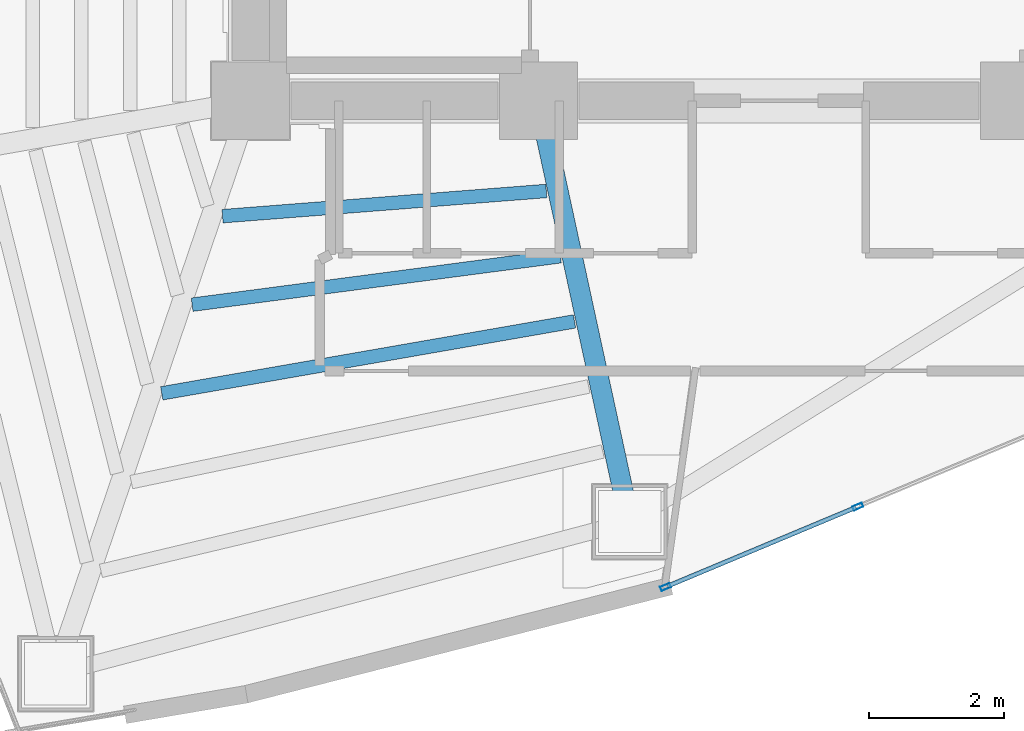
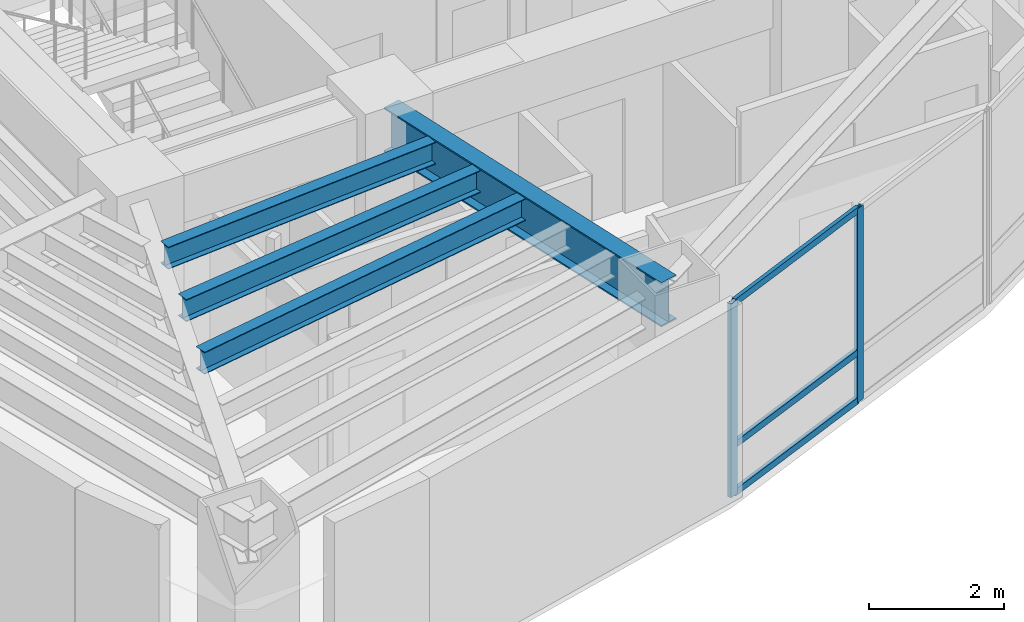
# One storey, part 2 of 15: 5 members, 4 beams, 1 element without a shape of its own.
"""IFC4 building model written with IfcOpenShell, lengths in metres."""

import ifcopenshell
import ifcopenshell.guid

model = None  # the IFC model being written
_history = None  # IfcOwnerHistory: only IFC2X3 demands one
_inside = {}  # id of a spatial element -> (the spatial element, [elements in it])
_under = {}  # id of a project, library or spatial element -> (it, [spatial elements below it])
_declared = {}  # id of a project -> (the project, [libraries it declares])
_typed = {}  # id of a type object -> (the type object, [elements of that type])
_made_of = {}  # id of a material, layer set ... -> (it, [elements and type objects made of it])


def new_model(schema):
    """Start an empty IFC model of exactly this schema.

    Asked for "IFC4X3", IfcOpenShell would pick the latest addendum, in which some entities
    have other attributes; the version numbers below select the first issue.
    IFC2X3 requires an IfcOwnerHistory on every rooted entity: one is made here for all.
    """
    global model, _history
    if schema == "IFC4X3":
        model = ifcopenshell.file(schema_version=(4, 3, 0, 0))
    else:
        model = ifcopenshell.file(schema=schema)
    _inside.clear()
    _under.clear()
    _declared.clear()
    _typed.clear()
    _made_of.clear()
    _history = None
    if model.schema == "IFC2X3":
        org = make("IfcOrganization", Name="unknown")
        user = make(
            "IfcPersonAndOrganization",
            ThePerson=make("IfcPerson", FamilyName="unknown"),
            TheOrganization=org,
        )
        app = make(
            "IfcApplication",
            ApplicationDeveloper=org,
            Version="unknown",
            ApplicationFullName="unknown",
            ApplicationIdentifier="unknown",
        )
        _history = make(
            "IfcOwnerHistory",
            OwningUser=user,
            OwningApplication=app,
            ChangeAction="ADDED",
            CreationDate=0,
        )
    return model


def make(cls, **values):
    """One entity of the class cls with the attributes given. An attribute that is None is left unset."""
    return model.create_entity(
        cls, **{name: value for name, value in values.items() if value is not None}
    )


def rooted(cls, **values):
    """An entity with a GlobalId (a new one), such as an element, a storey or a relation."""
    return make(cls, GlobalId=ifcopenshell.guid.new(), OwnerHistory=_history, **values)


def si_unit(unit_type, name, prefix=None):
    """IfcSIUnit, for example si_unit("LENGTHUNIT", "METRE", prefix="MILLI")."""
    return make("IfcSIUnit", UnitType=unit_type, Prefix=prefix, Name=name)


def assignment(units):
    """IfcUnitAssignment: the units of a project."""
    return None if units is None else make("IfcUnitAssignment", Units=units)


def point(xyz):
    """IfcCartesianPoint."""
    return None if xyz is None else make("IfcCartesianPoint", Coordinates=xyz)


def direction(xyz):
    """IfcDirection."""
    return None if xyz is None else make("IfcDirection", DirectionRatios=xyz)


def frame(location, z_axis=None, x_axis=None):
    """IfcAxis2Placement3D, a coordinate frame: its origin and axes. An axis left out is left unset."""
    return make(
        "IfcAxis2Placement3D",
        Location=point(location),
        Axis=direction(z_axis),
        RefDirection=direction(x_axis),
    )


def frame_2d(location, x_axis=None):
    """IfcAxis2Placement2D, a coordinate frame in the plane: its origin and x axis."""
    return make(
        "IfcAxis2Placement2D", Location=point(location), RefDirection=direction(x_axis)
    )


def origin():
    """The frame at (0, 0, 0) with its axes left unset."""
    return frame((0.0, 0.0, 0.0))


def origin_2d():
    """The frame at (0, 0) in the plane with its x axis left unset."""
    return frame_2d((0.0, 0.0))


def place(relative_to, where):
    """IfcLocalPlacement: puts the frame where relative to a parent placement (None: the world)."""
    return make(
        "IfcLocalPlacement", PlacementRelTo=relative_to, RelativePlacement=where
    )


def context(
    kind, dimensions, precision=None, world=None, true_north=None, identifier=None
):
    """IfcGeometricRepresentationContext, for example the 3D "Model" context."""
    return make(
        "IfcGeometricRepresentationContext",
        ContextIdentifier=identifier,
        ContextType=kind,
        CoordinateSpaceDimension=dimensions,
        Precision=precision,
        WorldCoordinateSystem=world,
        TrueNorth=true_north,
    )


def subcontext(parent, identifier, kind, view, scale=None):
    """IfcGeometricRepresentationSubContext, for example "Body" below "Model"."""
    return make(
        "IfcGeometricRepresentationSubContext",
        ContextIdentifier=identifier,
        ContextType=kind,
        ParentContext=parent,
        TargetScale=scale,
        TargetView=view,
    )


def project(units=None, contexts=None):
    """IfcProject with its units and contexts."""
    return rooted(
        "IfcProject",
        Name="project",
        RepresentationContexts=contexts,
        UnitsInContext=assignment(units),
    )


def spatial(cls, under=None, at=None, **own):
    """A site, building, storey or space (cls), placed at a placement, below another one or the project."""
    s = rooted(cls, ObjectPlacement=at, **own)
    if under is not None:
        _under.setdefault(under.id(), (under, []))[1].append(s)
    return s


def profile(cls, at=None, kind="AREA", **sizes):
    """A parametric profile (cls). Its sizes go by their IFC names, for example OverallWidth=200.0."""
    return make(cls, ProfileType=kind, Position=at, **sizes)


def hollow_rectangle(**sizes):
    """IfcRectangleHollowProfileDef."""
    return profile("IfcRectangleHollowProfileDef", **sizes)


def i_section(**sizes):
    """IfcIShapeProfileDef."""
    return profile("IfcIShapeProfileDef", **sizes)


def extrude(swept, where, along, depth):
    """IfcExtrudedAreaSolid: the profile swept, set in the frame where, extruded along a direction by depth."""
    return make(
        "IfcExtrudedAreaSolid",
        SweptArea=swept,
        Position=where,
        ExtrudedDirection=direction(along),
        Depth=depth,
    )


def shape(context_of_items, identifier, shape_type, items):
    """IfcShapeRepresentation: the items that make up one representation, for example the "Body"."""
    return make(
        "IfcShapeRepresentation",
        ContextOfItems=context_of_items,
        RepresentationIdentifier=identifier,
        RepresentationType=shape_type,
        Items=items,
    )


def material(Name=None, Category=None):
    """IfcMaterial."""
    return make("IfcMaterial", Name=Name, Category=Category)


def layer(
    of_material, thickness, ventilated=None, Name=None, Category=None, Priority=None
):
    """IfcMaterialLayer: one layer of a wall or slab, of a material (None: an air gap)."""
    return make(
        "IfcMaterialLayer",
        Material=of_material,
        LayerThickness=thickness,
        IsVentilated=ventilated,
        Name=Name,
        Category=Category,
        Priority=Priority,
    )


def layer_set(layers, Name=None):
    """IfcMaterialLayerSet."""
    return make("IfcMaterialLayerSet", MaterialLayers=layers, LayerSetName=Name)


def material_profile(
    of_material, cross_section, Name=None, Category=None, Priority=None
):
    """IfcMaterialProfile: a cross section and its material."""
    return make(
        "IfcMaterialProfile",
        Name=Name,
        Material=of_material,
        Profile=cross_section,
        Priority=Priority,
        Category=Category,
    )


def profile_set(profiles, Name=None, composite=None):
    """IfcMaterialProfileSet."""
    return make(
        "IfcMaterialProfileSet",
        Name=Name,
        MaterialProfiles=profiles,
        CompositeProfile=composite,
    )


def made_of(thing, what):
    """Note that an element or type object is made of a material, layer set ...; save() writes the relation."""
    if what is not None:
        _made_of.setdefault(what.id(), (what, []))[1].append(thing)
    return thing


def type_object(cls, material=None, **own):
    """A type object (cls), such as IfcWallType, which elements share."""
    return made_of(rooted(cls, **own), material)


def element(
    cls,
    number,
    at=None,
    inside=None,
    cuts=None,
    type_object=None,
    material=None,
    context=None,
    identifier="Body",
    shape_type=None,
    held_by="IfcProductDefinitionShape",
    body=None,
    shapes=None,
    **own,
):
    """One element of the class cls, such as IfcWall. Its Tag is "e" and its number.

    at: its placement. inside: the storey or other place that contains it. cuts: it is an
    opening in that element (IfcRelVoidsElement). A single representation is given by context,
    identifier, shape_type and body (its items); several are given by shapes. held_by: the class
    of the entity that holds the representations. save() writes the other relations.
    """
    e = rooted(cls, Tag="e%d" % number, ObjectPlacement=at, **own)
    if body is not None:
        shapes = [shape(context, identifier, shape_type, body)]
    if shapes is not None:
        e.Representation = make(held_by, Representations=shapes)
    if inside is not None:
        _inside.setdefault(inside.id(), (inside, []))[1].append(e)
    if cuts is not None:
        rooted(
            "IfcRelVoidsElement", RelatingBuildingElement=cuts, RelatedOpeningElement=e
        )
    if type_object is not None:
        _typed.setdefault(type_object.id(), (type_object, []))[1].append(e)
    return made_of(e, material)


def aggregate(whole, parts):
    """IfcRelAggregates: a whole, such as a stair, and the parts it consists of."""
    return rooted("IfcRelAggregates", RelatingObject=whole, RelatedObjects=parts)


def save(model, path):
    """Write the relations noted so far, then the file.

    IfcRelAggregates (storeys below a building ...), IfcRelContainedInSpatialStructure (elements
    in a storey), IfcRelDefinesByType, IfcRelAssociatesMaterial and IfcRelDeclares: one each for
    every whole, place, type object, material and project.
    """
    for whole, parts in _under.values():
        aggregate(whole, parts)
    for where, things in _inside.values():
        rooted(
            "IfcRelContainedInSpatialStructure",
            RelatedElements=things,
            RelatingStructure=where,
        )
    for kind, things in _typed.values():
        rooted("IfcRelDefinesByType", RelatedObjects=things, RelatingType=kind)
    for what, things in _made_of.values():
        rooted("IfcRelAssociatesMaterial", RelatedObjects=things, RelatingMaterial=what)
    for by, libraries in _declared.values():
        rooted("IfcRelDeclares", RelatingContext=by, RelatedDefinitions=libraries)
    model.write(path)


model = new_model("IFC4")

# Units and contexts
model_context = context("Model", 3, precision=1e-05, world=origin(), true_north=direction((0.0, 1.0)))
body_context = subcontext(model_context, "Body", "Model", "MODEL_VIEW")
ifc_project = project(units=[si_unit("LENGTHUNIT", "METRE"), si_unit("AREAUNIT", "SQUARE_METRE"), si_unit("VOLUMEUNIT", "CUBIC_METRE"), si_unit("PLANEANGLEUNIT", "RADIAN"), si_unit("MASSUNIT", "GRAM", prefix="KILO")], contexts=[model_context])

# Site, building, storey
site_placement = place(None, origin())
site = spatial("IfcSite", under=ifc_project, at=site_placement, CompositionType="ELEMENT")
building_placement = place(site_placement, origin())
building = spatial("IfcBuilding", under=site, at=building_placement, Name="Menara Vayukalpa", CompositionType="ELEMENT")
storey_placement = place(building_placement, frame((0.0, 0.0, 137.4599609375)))
storey = spatial("IfcBuildingStorey", under=building, at=storey_placement, Name="L34", CompositionType="ELEMENT", Elevation=137.4599609375)

# Beams
ifc_material_1 = material(Name="Steel S355", Category="steel")
ifc_material_profile_1 = material_profile(ifc_material_1, i_section(OverallWidth=0.300048828125, OverallDepth=0.800048828125, WebThickness=0.013916015625, FlangeThickness=0.02587890625, at=origin_2d()), Name="WF 800x300x14x26")
ifc_profile_set_1 = profile_set([ifc_material_profile_1], Name="Steel S355")
beam_type_1 = type_object("IfcBeamType", Name="BM-PG3", PredefinedType="BEAM", material=ifc_profile_set_1)
beam_1_placement = place(storey_placement, frame((22.10302734375, 16.955810546875, 3.10009765625), z_axis=(0.211898459532, -0.9772916877, 0.0), x_axis=(0.9772916877, 0.211898459532, 0.0)))
element("IfcBeam", 1, at=beam_1_placement, inside=storey, type_object=beam_type_1, Name="L34 Primary Radial Girder RG08", PredefinedType="BEAM", context=body_context, shape_type="SweptSolid", body=[
    extrude(i_section(OverallWidth=0.300048828125, OverallDepth=0.800048828125, WebThickness=0.013916015625, FlangeThickness=0.02587890625, at=origin_2d()), origin(), (0.0, 0.0, 1.0), 6.1064453125),
])
ifc_material_2 = material(Name="Steel S355", Category="steel")
ifc_material_profile_2 = material_profile(ifc_material_2, i_section(OverallWidth=0.199951171875, OverallDepth=0.39990234375, WebThickness=0.008056640625, FlangeThickness=0.012939453125, at=origin_2d()), Name="WF 400x200x8x13")
ifc_profile_set_2 = profile_set([ifc_material_profile_2], Name="Steel S355")
beam_type_2 = type_object("IfcBeamType", Name="BM-SJ2", PredefinedType="JOIST", material=ifc_profile_set_2)
beam_2_placement = place(storey_placement, frame((17.38525390625, 15.49609375, 3.300048828125), z_axis=(0.99698187454, 0.07763466905, 0.0), x_axis=(-0.07763466905, 0.99698187454, 0.0)))
element("IfcBeam", 2, at=beam_2_placement, inside=storey, type_object=beam_type_2, Name="L34 Secondary Floor Joist SJ07-1", PredefinedType="JOIST", context=body_context, shape_type="SweptSolid", body=[
    extrude(i_section(OverallWidth=0.199951171875, OverallDepth=0.39990234375, WebThickness=0.008056640625, FlangeThickness=0.012939453125, at=origin_2d()), origin(), (0.0, 0.0, 1.0), 4.795654296875),
])
beam_3_placement = place(storey_placement, frame((16.936279296875, 14.189453125, 3.300048828125), z_axis=(0.991465351363, 0.130370460792, 0.0), x_axis=(-0.130370460792, 0.991465351363, 0.0)))
element("IfcBeam", 3, at=beam_3_placement, inside=storey, type_object=beam_type_2, Name="L34 Secondary Floor Joist SJ07-2", PredefinedType="JOIST", context=body_context, shape_type="SweptSolid", body=[
    extrude(i_section(OverallWidth=0.199951171875, OverallDepth=0.39990234375, WebThickness=0.008056640625, FlangeThickness=0.012939453125, at=origin_2d()), origin(), (0.0, 0.0, 1.0), 5.485107421875),
])
beam_4_placement = place(storey_placement, frame((16.487548828125, 12.880615234375, 3.300048828125), z_axis=(0.98515667511, 0.171657582084, 0.0), x_axis=(-0.171657582084, 0.98515667511, 0.0)))
element("IfcBeam", 4, at=beam_4_placement, inside=storey, type_object=beam_type_2, Name="L34 Secondary Floor Joist SJ07-3", PredefinedType="JOIST", context=body_context, shape_type="SweptSolid", body=[
    extrude(i_section(OverallWidth=0.199951171875, OverallDepth=0.39990234375, WebThickness=0.008056640625, FlangeThickness=0.012939453125, at=origin_2d()), origin(), (0.0, 0.0, 1.0), 6.186767578125),
])

# Curtain wall, members
ifc_material_3 = material(Name="Anodised Terracotta Aluminium Alloy 6063-T6", Category="masonry")
ifc_layer = layer(ifc_material_3, 0.14990234375)
ifc_layer_set = layer_set([ifc_layer], Name="Anodised Terracotta Aluminium Alloy 6063-T6")
curtain_wall_type = type_object("IfcCurtainWallType", Name="CW-CW3", PredefinedType="USERDEFINED", material=ifc_layer_set)
curtain_wall_placement = place(storey_placement, origin())
curtain_wall = element("IfcCurtainWall", 5, at=curtain_wall_placement, inside=storey, type_object=curtain_wall_type, Name="L34 Mid Rise Terracotta Ribbon Curtain Wall CW3 16", ObjectType="UNITISED", PredefinedType="USERDEFINED")
ifc_material_4 = material(Name="Anodised Terracotta Aluminium Alloy 6063-T6", Category="masonry")
ifc_material_profile_3 = material_profile(ifc_material_4, hollow_rectangle(XDim=0.06494140625, YDim=0.14990234375, WallThickness=0.00341796875, at=origin_2d()), Name="ALU 65x150x3.5")
ifc_profile_set_3 = profile_set([ifc_material_profile_3], Name="Anodised Terracotta Aluminium Alloy 6063-T6")
member_type_1 = type_object("IfcMemberType", Name="CWM-CW3", PredefinedType="MULLION", material=ifc_profile_set_3)
member_1_placement = place(storey_placement, frame((23.926025390625, 10.020263671875, 0.0), z_axis=(0.0, 0.0, 1.0), x_axis=(-0.385886210456, 0.922546385056, 0.0)))
member_1 = element("IfcMember", 6, at=member_1_placement, type_object=member_type_1, Name="CW3 mullion 1", PredefinedType="MULLION", context=body_context, shape_type="SweptSolid", body=[
    extrude(hollow_rectangle(XDim=0.06494140625, YDim=0.14990234375, WallThickness=0.00341796875, at=origin_2d()), origin(), (0.0, 0.0, 1.0), 3.5),
])
member_2_placement = place(storey_placement, frame((26.766357421875, 11.20849609375, 0.0), z_axis=(0.0, 0.0, 1.0), x_axis=(-0.385886210456, 0.922546385056, 0.0)))
member_2 = element("IfcMember", 7, at=member_2_placement, type_object=member_type_1, Name="CW3 mullion 2", PredefinedType="MULLION", context=body_context, shape_type="SweptSolid", body=[
    extrude(hollow_rectangle(XDim=0.06494140625, YDim=0.14990234375, WallThickness=0.00341796875, at=origin_2d()), origin(), (0.0, 0.0, 1.0), 3.5),
])
ifc_material_5 = material(Name="Anodised Terracotta Aluminium Alloy 6063-T6", Category="masonry")
ifc_material_profile_4 = material_profile(ifc_material_5, hollow_rectangle(XDim=0.06494140625, YDim=0.1201171875, WallThickness=0.00341796875, at=origin_2d()), Name="ALU 65x120x3.5")
ifc_profile_set_4 = profile_set([ifc_material_profile_4], Name="Anodised Terracotta Aluminium Alloy 6063-T6")
member_type_2 = type_object("IfcMemberType", Name="CWT-CW3", PredefinedType="USERDEFINED", material=ifc_profile_set_4)
member_3_placement = place(storey_placement, frame((23.9560546875, 10.032958984375, 0.032470703125), z_axis=(0.922558380554, 0.385857531312, 0.0), x_axis=(-0.385857531312, 0.922558380554, 0.0)))
member_3 = element("IfcMember", 8, at=member_3_placement, type_object=member_type_2, Name="CW3 transom 1.1", ObjectType="TRANSOM", PredefinedType="USERDEFINED", context=body_context, shape_type="SweptSolid", body=[
    extrude(hollow_rectangle(XDim=0.06494140625, YDim=0.1201171875, WallThickness=0.00341796875, at=origin_2d()), origin(), (0.0, 0.0, 1.0), 3.013671875),
])
member_4_placement = place(storey_placement, frame((23.9560546875, 10.032958984375, 0.900146484375), z_axis=(0.922558380554, 0.385857531312, 0.0), x_axis=(-0.385857531312, 0.922558380554, 0.0)))
member_4 = element("IfcMember", 9, at=member_4_placement, type_object=member_type_2, Name="CW3 transom 1.2", ObjectType="TRANSOM", PredefinedType="USERDEFINED", context=body_context, shape_type="SweptSolid", body=[
    extrude(hollow_rectangle(XDim=0.06494140625, YDim=0.1201171875, WallThickness=0.00341796875, at=origin_2d()), origin(), (0.0, 0.0, 1.0), 3.013671875),
])
member_5_placement = place(storey_placement, frame((23.9560546875, 10.032958984375, 3.467529296875), z_axis=(0.922558380554, 0.385857531312, 0.0), x_axis=(-0.385857531312, 0.922558380554, 0.0)))
member_5 = element("IfcMember", 10, at=member_5_placement, type_object=member_type_2, Name="CW3 transom 1.3", ObjectType="TRANSOM", PredefinedType="USERDEFINED", context=body_context, shape_type="SweptSolid", body=[
    extrude(hollow_rectangle(XDim=0.06494140625, YDim=0.1201171875, WallThickness=0.00341796875, at=origin_2d()), origin(), (0.0, 0.0, 1.0), 3.013671875),
])
aggregate(curtain_wall, [member_1, member_2, member_3, member_4, member_5])

save(model, "model.ifc")
